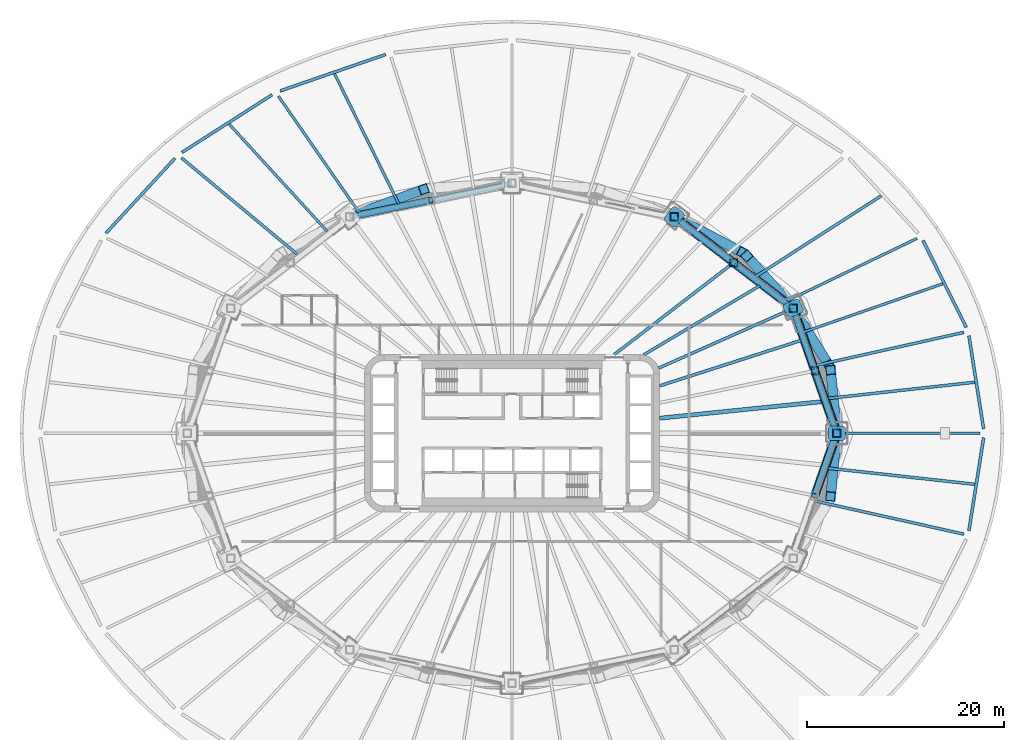
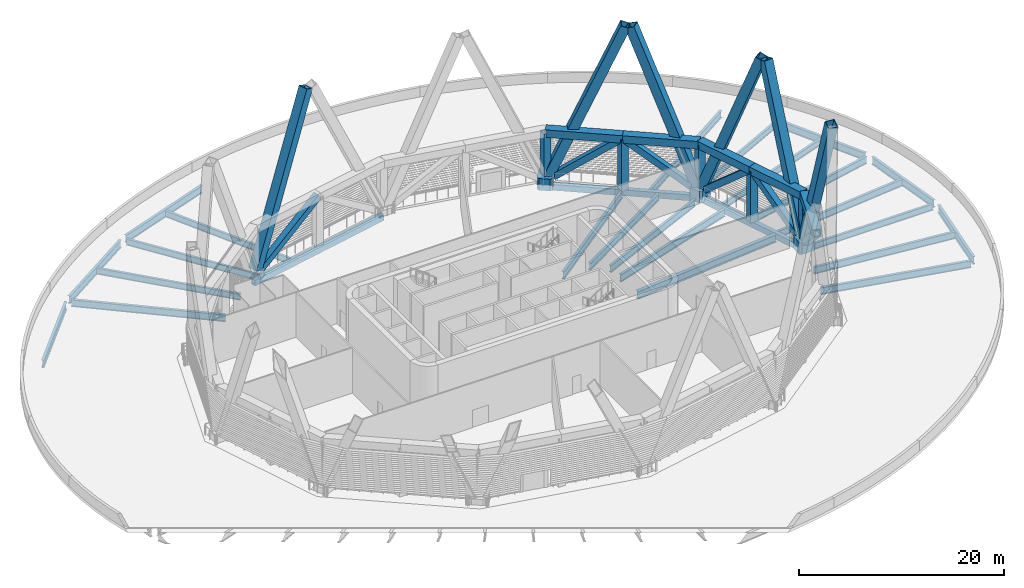
# One storey, part 4 of 27: 26 beams, 25 members.
"""IFC4 building model written with IfcOpenShell, lengths in metres."""

from ifc_helpers import new_model, si_unit, direction, frame, origin, origin_2d, place, context, subcontext, project, spatial, polyline, hollow_rectangle, i_section, outline, extrude, material, material_profile, profile_set, type_object, element, save


model = new_model("IFC4")

# Units and contexts
model_context = context("Model", 3, precision=1e-05, world=origin(), true_north=direction((0.0, 1.0)))
body_context = subcontext(model_context, "Body", "Model", "MODEL_VIEW")
ifc_project = project(units=[si_unit("LENGTHUNIT", "METRE"), si_unit("AREAUNIT", "SQUARE_METRE"), si_unit("VOLUMEUNIT", "CUBIC_METRE"), si_unit("PLANEANGLEUNIT", "RADIAN"), si_unit("MASSUNIT", "GRAM", prefix="KILO")], contexts=[model_context])

# Site, building, storey
site_placement = place(None, origin())
site = spatial("IfcSite", under=ifc_project, at=site_placement, CompositionType="ELEMENT")
building_placement = place(site_placement, origin())
building = spatial("IfcBuilding", under=site, at=building_placement, Name="Sahrelin Media Tower", CompositionType="ELEMENT")
storey_placement = place(building_placement, frame((0.0, 0.0, 44.0)))
storey = spatial("IfcBuildingStorey", under=building, at=storey_placement, Name="L06", CompositionType="ELEMENT", Elevation=44.0)

# Members
ifc_material_1 = material(Name="Steel S460", Category="steel")
ifc_material_profile_1 = material_profile(ifc_material_1, hollow_rectangle(XDim=1.0, YDim=1.0, WallThickness=0.06005859375, at=origin_2d()), Name="Diagrid diagonal DG1")
ifc_profile_set_1 = profile_set([ifc_material_profile_1], Name="Steel S460")
member_type_1 = type_object("IfcMemberType", Name="Diagrid diagonal DG1", PredefinedType="BRACE", material=ifc_profile_set_1)
member_1_placement = place(storey_placement, frame((32.97607421875, 0.245849609375, 0.699951171875), z_axis=(-0.032297802229, 0.331127690494, 0.943033034713), x_axis=(-0.995276765288, -0.097078115336, 0.0)))
element("IfcMember", 1, at=member_1_placement, inside=storey, type_object=member_type_1, Name="Diagrid diagonal D00-00", PredefinedType="BRACE", context=body_context, shape_type="SweptSolid", body=[
    extrude(hollow_rectangle(XDim=1.0, YDim=1.0, WallThickness=0.06005859375, at=origin_2d()), origin(), (0.0, 0.0, 1.0), 18.663330078125),
])
member_2_placement = place(storey_placement, frame((28.7177734375, 12.477783203125, 0.699951171875), z_axis=(0.185846162703, -0.297145993243, 0.936571119835), x_axis=(0.847831661927, 0.530265474111, 0.0)))
element("IfcMember", 2, at=member_2_placement, inside=storey, type_object=member_type_1, Name="Diagrid diagonal D00-01", PredefinedType="BRACE", context=body_context, shape_type="SweptSolid", body=[
    extrude(hollow_rectangle(XDim=1.0, YDim=1.0, WallThickness=0.06005859375, at=origin_2d()), origin(), (0.0, 0.0, 1.0), 18.7919921875),
])
member_3_placement = place(storey_placement, frame((28.3984375, 12.903564453125, 0.699951171875), z_axis=(-0.240263742988, 0.271151655704, 0.932067654955), x_axis=(-0.748449999211, -0.663191223314, 0.0)))
element("IfcMember", 3, at=member_3_placement, inside=storey, type_object=member_type_1, Name="Diagrid diagonal D00-02", PredefinedType="BRACE", context=body_context, shape_type="SweptSolid", body=[
    extrude(hollow_rectangle(XDim=1.0, YDim=1.0, WallThickness=0.06005859375, at=origin_2d()), origin(), (0.0, 0.0, 1.0), 18.8828125),
])
member_4_placement = place(storey_placement, frame((16.7646484375, 21.858154296875, 0.699951171875), z_axis=(0.347601060043, -0.182475884966, 0.91971520291), x_axis=(0.464804602076, 0.885413283099, 0.0)))
element("IfcMember", 4, at=member_4_placement, inside=storey, type_object=member_type_1, Name="Diagrid diagonal D00-03", PredefinedType="BRACE", context=body_context, shape_type="SweptSolid", body=[
    extrude(hollow_rectangle(XDim=1.0, YDim=1.0, WallThickness=0.06005859375, at=origin_2d()), origin(), (0.0, 0.0, 1.0), 19.136474609375),
])
member_5_placement = place(storey_placement, frame((-16.21142578125, 22.10400390625, 0.699951171875), z_axis=(0.377355512755, 0.139825735326, 0.915451572031), x_axis=(-0.347455151629, 0.937696602109, 0.0)))
element("IfcMember", 5, at=member_5_placement, inside=storey, type_object=member_type_1, Name="Diagrid diagonal D00-07", PredefinedType="BRACE", context=body_context, shape_type="SweptSolid", body=[
    extrude(hollow_rectangle(XDim=1.0, YDim=1.0, WallThickness=0.06005859375, at=origin_2d()), origin(), (0.0, 0.0, 1.0), 19.2255859375),
])
member_6_placement = place(storey_placement, frame((32.97607421875, -0.245849609375, 0.699951171875), z_axis=(-0.032297802229, -0.331127690494, 0.943033034713), x_axis=(0.995276765288, -0.097078115336, 0.0)))
element("IfcMember", 6, at=member_6_placement, inside=storey, type_object=member_type_1, Name="Diagrid diagonal D00-23", PredefinedType="BRACE", context=body_context, shape_type="SweptSolid", body=[
    extrude(hollow_rectangle(XDim=1.0, YDim=1.0, WallThickness=0.06005859375, at=origin_2d()), origin(), (0.0, 0.0, 1.0), 18.663330078125),
])
ifc_material_profile_2 = material_profile(ifc_material_1, outline(polyline([(0.699951171875, -0.75), (0.89990234375, -0.550048828125), (0.89990234375, 0.550048828125), (0.699951171875, 0.75), (-0.699951171875, 0.75), (-0.89990234375, 0.550048828125), (-0.89990234375, -0.550048828125), (-0.699951171875, -0.75), (0.699951171875, -0.75)])), Name="Diagrid node block 1800")
ifc_profile_set_2 = profile_set([ifc_material_profile_2], Name="Steel S460")
member_type_2 = type_object("IfcMemberType", Name="Diagrid node block 1800", PredefinedType="USERDEFINED", material=ifc_profile_set_2)
for number, where, z_axis, x_axis, name in (
    (7, (33.0, 0.0, -0.699951171875), (0.0, 0.0, 1.0), (1.0, 0.0, 0.0), "Diagrid node N00-00"),
    (8, (28.578857421875, 12.699951171875, -0.699951171875), (0.0, 0.0, 1.0), (0.913831317054, 0.40609398416, 0.0), "Diagrid node N00-01"),
    (9, (16.5, 21.9970703125, -0.699951171875), (0.0, 0.0, 1.0), (0.600051693363, 0.799961227368, 0.0), "Diagrid node N00-02"),
):
    element("IfcMember", number, at=place(storey_placement, frame(where, z_axis=z_axis, x_axis=x_axis)), inside=storey, type_object=member_type_2, Name=name, ObjectType="NODE", PredefinedType="USERDEFINED", context=body_context, shape_type="SweptSolid", body=[
        extrude(outline(polyline([(0.699951171875, -0.75), (0.89990234375, -0.550048828125), (0.89990234375, 0.550048828125), (0.699951171875, 0.75), (-0.699951171875, 0.75), (-0.89990234375, 0.550048828125), (-0.89990234375, -0.550048828125), (-0.699951171875, -0.75), (0.699951171875, -0.75)])), origin(), (0.0, 0.0, 1.0), 1.39990234375),
    ])

# Beams
ifc_material_profile_3 = material_profile(ifc_material_1, hollow_rectangle(XDim=0.5, YDim=0.699951171875, WallThickness=0.034912109375, at=origin_2d()), Name="Diagrid ring beam RB2")
ifc_profile_set_3 = profile_set([ifc_material_profile_3], Name="Steel S460")
beam_type_1 = type_object("IfcBeamType", Name="Diagrid ring beam RB2", PredefinedType="BEAM", material=ifc_profile_set_3)
beam_1_placement = place(storey_placement, frame((33.0, 0.0, -0.699951171875), z_axis=(-0.328770590399, 0.944409815117, 0.0), x_axis=(-0.944409815117, -0.328770590399, 0.0)))
element("IfcBeam", 10, at=beam_1_placement, inside=storey, type_object=beam_type_1, Name="Diagrid ring beam RB00-00", PredefinedType="BEAM", context=body_context, shape_type="SweptSolid", body=[
    extrude(hollow_rectangle(XDim=0.5, YDim=0.699951171875, WallThickness=0.034912109375, at=origin_2d()), origin(), (0.0, 0.0, 1.0), 13.447509765625),
])
beam_2_placement = place(storey_placement, frame((28.578857421875, 12.699951171875, -0.699951171875), z_axis=(-0.792443539308, 0.609945273782, 0.0), x_axis=(-0.609945273782, -0.792443539308, 0.0)))
element("IfcBeam", 11, at=beam_2_placement, inside=storey, type_object=beam_type_1, Name="Diagrid ring beam RB00-01", PredefinedType="BEAM", context=body_context, shape_type="SweptSolid", body=[
    extrude(hollow_rectangle(XDim=0.5, YDim=0.699951171875, WallThickness=0.034912109375, at=origin_2d()), origin(), (0.0, 0.0, 1.0), 15.242431640625),
])
beam_3_placement = place(storey_placement, frame((0.0, 25.39990234375, -0.699951171875), z_axis=(-0.979389305257, -0.201981654484, 0.0), x_axis=(0.201981654484, -0.979389305257, 0.0)))
element("IfcBeam", 12, at=beam_3_placement, inside=storey, type_object=beam_type_1, Name="Diagrid ring beam RB00-03", PredefinedType="BEAM", context=body_context, shape_type="SweptSolid", body=[
    extrude(hollow_rectangle(XDim=0.5, YDim=0.699951171875, WallThickness=0.034912109375, at=origin_2d()), origin(), (0.0, 0.0, 1.0), 16.84716796875),
])
ifc_material_2 = material(Name="Steel S355", Category="steel")
ifc_material_profile_4 = material_profile(ifc_material_2, i_section(OverallWidth=0.30322265625, OverallDepth=0.903076171875, WebThickness=0.01513671875, FlangeThickness=0.020263671875, FilletRadius=0.01904296875, at=origin_2d()), Name="UB 914x305x201")
ifc_profile_set_4 = profile_set([ifc_material_profile_4], Name="Steel S355")
beam_type_2 = type_object("IfcBeamType", Name="Podium edge girder PE11", PredefinedType="BEAM", material=ifc_profile_set_4)
beam_4_placement = place(storey_placement, frame((47.928955078125, 0.449951171875, -0.801513671875), z_axis=(-0.156048991104, 0.987749316565, 0.0), x_axis=(-0.987749316565, -0.156048991104, 0.0)))
element("IfcBeam", 13, at=beam_4_placement, inside=storey, type_object=beam_type_2, Name="Podium edge girder L06-01", PredefinedType="BEAM", context=body_context, shape_type="SweptSolid", body=[
    extrude(i_section(OverallWidth=0.30322265625, OverallDepth=0.903076171875, WebThickness=0.01513671875, FlangeThickness=0.020263671875, FilletRadius=0.01904296875, at=origin_2d()), origin(), (0.0, 0.0, 1.0), 9.57470703125),
])
beam_5_placement = place(storey_placement, frame((46.158203125, 10.767822265625, -0.801513671875), z_axis=(-0.445112588569, 0.895474613541, 0.0), x_axis=(-0.895474613541, -0.445112588569, 0.0)))
element("IfcBeam", 14, at=beam_5_placement, inside=storey, type_object=beam_type_2, Name="Podium edge girder L06-02", PredefinedType="BEAM", context=body_context, shape_type="SweptSolid", body=[
    extrude(i_section(OverallWidth=0.30322265625, OverallDepth=0.903076171875, WebThickness=0.01513671875, FlangeThickness=0.020263671875, FilletRadius=0.01904296875, at=origin_2d()), origin(), (0.0, 0.0, 1.0), 9.859619140625),
])
beam_6_placement = place(storey_placement, frame((-12.848876953125, 38.489990234375, -0.801513671875), z_axis=(-0.94527240249, -0.32628221694, 0.0), x_axis=(0.32628221694, -0.94527240249, 0.0)))
element("IfcBeam", 15, at=beam_6_placement, inside=storey, type_object=beam_type_2, Name="Podium edge girder L06-08", PredefinedType="BEAM", context=body_context, shape_type="SweptSolid", body=[
    extrude(i_section(OverallWidth=0.30322265625, OverallDepth=0.903076171875, WebThickness=0.01513671875, FlangeThickness=0.020263671875, FilletRadius=0.01904296875, at=origin_2d()), origin(), (0.0, 0.0, 1.0), 11.329345703125),
])
beam_7_placement = place(storey_placement, frame((-24.37939453125, 34.3984375, -0.801513671875), z_axis=(-0.842485743715, -0.538718638657, 0.0), x_axis=(0.538718638657, -0.842485743715, 0.0)))
element("IfcBeam", 16, at=beam_7_placement, inside=storey, type_object=beam_type_2, Name="Podium edge girder L06-09", PredefinedType="BEAM", context=body_context, shape_type="SweptSolid", body=[
    extrude(i_section(OverallWidth=0.30322265625, OverallDepth=0.903076171875, WebThickness=0.01513671875, FlangeThickness=0.020263671875, FilletRadius=0.01904296875, at=origin_2d()), origin(), (0.0, 0.0, 1.0), 10.87744140625),
])
beam_8_placement = place(storey_placement, frame((-34.246337890625, 27.952880859375, -0.801513671875), z_axis=(-0.677370529771, -0.735642008995, 0.0), x_axis=(0.735642008995, -0.677370529771, 0.0)))
element("IfcBeam", 17, at=beam_8_placement, inside=storey, type_object=beam_type_2, Name="Podium edge girder L06-10", PredefinedType="BEAM", context=body_context, shape_type="SweptSolid", body=[
    extrude(i_section(OverallWidth=0.30322265625, OverallDepth=0.903076171875, WebThickness=0.01513671875, FlangeThickness=0.020263671875, FilletRadius=0.01904296875, at=origin_2d()), origin(), (0.0, 0.0, 1.0), 10.340087890625),
])
beam_9_placement = place(storey_placement, frame((46.434814453125, -9.907470703125, -0.801513671875), z_axis=(0.156048991104, 0.987749316565, 0.0), x_axis=(-0.987749316565, 0.156048991104, 0.0)))
element("IfcBeam", 18, at=beam_9_placement, inside=storey, type_object=beam_type_2, Name="Podium edge girder L06-24", PredefinedType="BEAM", context=body_context, shape_type="SweptSolid", body=[
    extrude(i_section(OverallWidth=0.30322265625, OverallDepth=0.903076171875, WebThickness=0.01513671875, FlangeThickness=0.020263671875, FilletRadius=0.01904296875, at=origin_2d()), origin(), (0.0, 0.0, 1.0), 9.57470703125),
])
ifc_material_profile_5 = material_profile(ifc_material_2, i_section(OverallWidth=0.291748046875, OverallDepth=0.8349609375, WebThickness=0.013916015625, FlangeThickness=0.018798828125, FilletRadius=0.017822265625, at=origin_2d()), Name="UB 838x292x176")
ifc_profile_set_5 = profile_set([ifc_material_profile_5], Name="Steel S355")
beam_type_3 = type_object("IfcBeamType", Name="Radial primary beam PB10", PredefinedType="BEAM", material=ifc_profile_set_5)
beam_10_placement = place(storey_placement, frame((14.890625, 6.6171875, -0.767578125), z_axis=(0.913833000058, 0.406090196883, 0.0), x_axis=(-0.406090196883, 0.913833000058, 0.0)))
element("IfcBeam", 19, at=beam_10_placement, inside=storey, type_object=beam_type_3, Name="Radial beam L06-03", PredefinedType="BEAM", context=body_context, shape_type="SweptSolid", body=[
    extrude(i_section(OverallWidth=0.291748046875, OverallDepth=0.8349609375, WebThickness=0.013916015625, FlangeThickness=0.018798828125, FilletRadius=0.017822265625, at=origin_2d()), origin(), (0.0, 0.0, 1.0), 14.078857421875),
])
beam_11_placement = place(storey_placement, frame((30.865478515625, 6.89208984375, -0.767578125), z_axis=(0.975968037832, 0.217913719463, 0.0), x_axis=(-0.217913719463, 0.975968037832, 0.0)))
element("IfcBeam", 20, at=beam_11_placement, inside=storey, type_object=beam_type_3, Name="Radial beam L06-02", PredefinedType="BEAM", context=body_context, shape_type="SweptSolid", body=[
    extrude(i_section(OverallWidth=0.291748046875, OverallDepth=0.8349609375, WebThickness=0.013916015625, FlangeThickness=0.018798828125, FilletRadius=0.017822265625, at=origin_2d()), origin(), (0.0, 0.0, 1.0), 15.4306640625),
])
beam_12_placement = place(storey_placement, frame((-21.84130859375, 18.201171875, -0.767578125), z_axis=(-0.768227819125, 0.64017655215, 0.0), x_axis=(-0.64017655215, -0.768227819125, 0.0)))
element("IfcBeam", 21, at=beam_12_placement, inside=storey, type_object=beam_type_3, Name="Radial beam L06-10", PredefinedType="BEAM", context=body_context, shape_type="SweptSolid", body=[
    extrude(i_section(OverallWidth=0.291748046875, OverallDepth=0.8349609375, WebThickness=0.013916015625, FlangeThickness=0.018798828125, FilletRadius=0.017822265625, at=origin_2d()), origin(), (0.0, 0.0, 1.0), 15.30029296875),
])
beam_13_placement = place(storey_placement, frame((30.865478515625, -6.89208984375, -0.767578125), z_axis=(0.975968037832, -0.217913719463, 0.0), x_axis=(0.217913719463, 0.975968037832, 0.0)))
element("IfcBeam", 22, at=beam_13_placement, inside=storey, type_object=beam_type_3, Name="Radial beam L06-24", PredefinedType="BEAM", context=body_context, shape_type="SweptSolid", body=[
    extrude(i_section(OverallWidth=0.291748046875, OverallDepth=0.8349609375, WebThickness=0.013916015625, FlangeThickness=0.018798828125, FilletRadius=0.017822265625, at=origin_2d()), origin(), (0.0, 0.0, 1.0), 15.4306640625),
])
ifc_material_profile_6 = material_profile(ifc_material_2, i_section(OverallWidth=0.30322265625, OverallDepth=0.903076171875, WebThickness=0.01513671875, FlangeThickness=0.020263671875, FilletRadius=0.01904296875, at=origin_2d()), Name="UB 914x305x201")
ifc_profile_set_6 = profile_set([ifc_material_profile_6], Name="Steel S355")
beam_type_4 = type_object("IfcBeamType", Name="Radial primary beam PB11", PredefinedType="BEAM", material=ifc_profile_set_6)
beam_14_placement = place(storey_placement, frame((10.393798828125, 8.0, -0.801513671875), z_axis=(0.792438439057, 0.609951899993, 0.0), x_axis=(-0.609951899993, 0.792438439057, 0.0)))
element("IfcBeam", 23, at=beam_14_placement, inside=storey, type_object=beam_type_4, Name="Radial beam L06-04", PredefinedType="BEAM", context=body_context, shape_type="SweptSolid", body=[
    extrude(i_section(OverallWidth=0.30322265625, OverallDepth=0.903076171875, WebThickness=0.01513671875, FlangeThickness=0.020263671875, FilletRadius=0.01904296875, at=origin_2d()), origin(), (0.0, 0.0, 1.0), 15.068359375),
])
ifc_material_profile_7 = material_profile(ifc_material_2, i_section(OverallWidth=0.26513671875, OverallDepth=0.75390625, WebThickness=0.0126953125, FlangeThickness=0.017578125, FilletRadius=0.0166015625, at=origin_2d()), Name="UB 762x267x147")
ifc_profile_set_7 = profile_set([ifc_material_profile_7], Name="Steel S355")
beam_type_5 = type_object("IfcBeamType", Name="Radial primary beam PB9", PredefinedType="BEAM", material=ifc_profile_set_7)
beam_15_placement = place(storey_placement, frame((33.89990234375, 0.0, -0.72705078125), z_axis=(1.0, 0.0, 0.0), x_axis=(0.0, 1.0, 0.0)))
element("IfcBeam", 24, at=beam_15_placement, inside=storey, type_object=beam_type_5, Name="Radial beam L06-01", PredefinedType="BEAM", context=body_context, shape_type="SweptSolid", body=[
    extrude(i_section(OverallWidth=0.26513671875, OverallDepth=0.75390625, WebThickness=0.0126953125, FlangeThickness=0.017578125, FilletRadius=0.0166015625, at=origin_2d()), origin(), (0.0, 0.0, 1.0), 13.650146484375),
])
beam_16_placement = place(storey_placement, frame((27.99169921875, 13.467529296875, -0.72705078125), z_axis=(0.901128087536, 0.433552960841, 0.0), x_axis=(-0.433552960841, 0.901128087536, 0.0)))
element("IfcBeam", 25, at=beam_16_placement, inside=storey, type_object=beam_type_5, Name="Radial beam L06-03", PredefinedType="BEAM", context=body_context, shape_type="SweptSolid", body=[
    extrude(i_section(OverallWidth=0.26513671875, OverallDepth=0.75390625, WebThickness=0.0126953125, FlangeThickness=0.017578125, FilletRadius=0.0166015625, at=origin_2d()), origin(), (0.0, 0.0, 1.0), 14.617431640625),
])
beam_17_placement = place(storey_placement, frame((-15.55224609375, 22.44775390625, -0.72705078125), z_axis=(-0.569495914452, 0.821994162645, 0.0), x_axis=(-0.821994162645, -0.569495914452, 0.0)))
element("IfcBeam", 26, at=beam_17_placement, inside=storey, type_object=beam_type_5, Name="Radial beam L06-09", PredefinedType="BEAM", context=body_context, shape_type="SweptSolid", body=[
    extrude(i_section(OverallWidth=0.26513671875, OverallDepth=0.75390625, WebThickness=0.0126953125, FlangeThickness=0.017578125, FilletRadius=0.0166015625, at=origin_2d()), origin(), (0.0, 0.0, 1.0), 14.383544921875),
])
ifc_material_profile_8 = material_profile(ifc_material_2, i_section(OverallWidth=0.291748046875, OverallDepth=0.8349609375, WebThickness=0.013916015625, FlangeThickness=0.018798828125, FilletRadius=0.017822265625, at=origin_2d()), Name="UB 838x292x176")
ifc_profile_set_8 = profile_set([ifc_material_profile_8], Name="Steel S355")
beam_type_6 = type_object("IfcBeamType", Name="Radial secondary beam SB10", PredefinedType="BEAM", material=ifc_profile_set_8)
beam_18_placement = place(storey_placement, frame((13.356201171875, 7.953125, -0.767578125), z_axis=(0.859201566627, 0.511637242493, 0.0), x_axis=(-0.511637242493, 0.859201566627, 0.0)))
element("IfcBeam", 27, at=beam_18_placement, inside=storey, type_object=beam_type_6, Name="Secondary beam L06-03", PredefinedType="BEAM", context=body_context, shape_type="SweptSolid", body=[
    extrude(i_section(OverallWidth=0.291748046875, OverallDepth=0.8349609375, WebThickness=0.013916015625, FlangeThickness=0.018798828125, FilletRadius=0.017822265625, at=origin_2d()), origin(), (0.0, 0.0, 1.0), 13.76708984375),
])
beam_19_placement = place(storey_placement, frame((32.034912109375, 3.533203125, -0.767578125), z_axis=(0.993974200431, 0.109614273146, 0.0), x_axis=(-0.109614273146, 0.993974200431, 0.0)))
element("IfcBeam", 28, at=beam_19_placement, inside=storey, type_object=beam_type_6, Name="Secondary beam L06-01", PredefinedType="BEAM", context=body_context, shape_type="SweptSolid", body=[
    extrude(i_section(OverallWidth=0.291748046875, OverallDepth=0.8349609375, WebThickness=0.013916015625, FlangeThickness=0.018798828125, FilletRadius=0.017822265625, at=origin_2d()), origin(), (0.0, 0.0, 1.0), 15.0830078125),
])
beam_20_placement = place(storey_placement, frame((24.780517578125, 15.93896484375, -0.767578125), z_axis=(0.841044109841, 0.540966547304, 0.0), x_axis=(-0.540966547304, 0.841044109841, 0.0)))
element("IfcBeam", 29, at=beam_20_placement, inside=storey, type_object=beam_type_6, Name="Secondary beam L06-03", PredefinedType="BEAM", context=body_context, shape_type="SweptSolid", body=[
    extrude(i_section(OverallWidth=0.291748046875, OverallDepth=0.8349609375, WebThickness=0.013916015625, FlangeThickness=0.018798828125, FilletRadius=0.017822265625, at=origin_2d()), origin(), (0.0, 0.0, 1.0), 15.175048828125),
])
beam_21_placement = place(storey_placement, frame((32.034912109375, -3.533203125, -0.767578125), z_axis=(0.993974200431, -0.109614273146, 0.0), x_axis=(0.109614273146, 0.993974200431, 0.0)))
element("IfcBeam", 30, at=beam_21_placement, inside=storey, type_object=beam_type_6, Name="Secondary beam L06-24", PredefinedType="BEAM", context=body_context, shape_type="SweptSolid", body=[
    extrude(i_section(OverallWidth=0.291748046875, OverallDepth=0.8349609375, WebThickness=0.013916015625, FlangeThickness=0.018798828125, FilletRadius=0.017822265625, at=origin_2d()), origin(), (0.0, 0.0, 1.0), 15.0830078125),
])
ifc_material_profile_9 = material_profile(ifc_material_2, i_section(OverallWidth=0.30322265625, OverallDepth=0.903076171875, WebThickness=0.01513671875, FlangeThickness=0.020263671875, FilletRadius=0.01904296875, at=origin_2d()), Name="UB 914x305x201")
ifc_profile_set_9 = profile_set([ifc_material_profile_9], Name="Steel S355")
beam_type_7 = type_object("IfcBeamType", Name="Radial secondary beam SB11", PredefinedType="BEAM", material=ifc_profile_set_9)
beam_22_placement = place(storey_placement, frame((15.0, 4.81787109375, -0.801513671875), z_axis=(0.952096020669, 0.305799227315, 0.0), x_axis=(-0.305799227315, 0.952096020669, 0.0)))
element("IfcBeam", 31, at=beam_22_placement, inside=storey, type_object=beam_type_7, Name="Secondary beam L06-02", PredefinedType="BEAM", context=body_context, shape_type="SweptSolid", body=[
    extrude(i_section(OverallWidth=0.30322265625, OverallDepth=0.903076171875, WebThickness=0.01513671875, FlangeThickness=0.020263671875, FilletRadius=0.01904296875, at=origin_2d()), origin(), (0.0, 0.0, 1.0), 15.169921875),
])
ifc_material_profile_10 = material_profile(ifc_material_2, i_section(OverallWidth=0.41845703125, OverallDepth=0.911865234375, WebThickness=0.019287109375, FlangeThickness=0.031982421875, FilletRadius=0.024169921875, at=origin_2d()), Name="UB 914x419x343")
ifc_profile_set_10 = profile_set([ifc_material_profile_10], Name="Steel S355")
beam_type_8 = type_object("IfcBeamType", Name="Radial secondary beam SB12", PredefinedType="BEAM", material=ifc_profile_set_10)
beam_23_placement = place(storey_placement, frame((15.0, 1.53076171875, -0.805908203125), z_axis=(0.994834534251, 0.101509849087, 0.0), x_axis=(-0.101509849087, 0.994834534251, 0.0)))
element("IfcBeam", 32, at=beam_23_placement, inside=storey, type_object=beam_type_8, Name="Secondary beam L06-01", PredefinedType="BEAM", context=body_context, shape_type="SweptSolid", body=[
    extrude(i_section(OverallWidth=0.41845703125, OverallDepth=0.911865234375, WebThickness=0.019287109375, FlangeThickness=0.031982421875, FilletRadius=0.024169921875, at=origin_2d()), origin(), (0.0, 0.0, 1.0), 16.698486328125),
])
ifc_material_profile_11 = material_profile(ifc_material_2, i_section(OverallWidth=0.26513671875, OverallDepth=0.75390625, WebThickness=0.0126953125, FlangeThickness=0.017578125, FilletRadius=0.0166015625, at=origin_2d()), Name="UB 762x267x147")
ifc_profile_set_11 = profile_set([ifc_material_profile_11], Name="Steel S355")
beam_type_9 = type_object("IfcBeamType", Name="Radial secondary beam SB9", PredefinedType="BEAM", material=ifc_profile_set_11)
beam_24_placement = place(storey_placement, frame((29.6787109375, 10.300537109375, -0.72705078125), z_axis=(0.944715588779, 0.32789092137, 0.0), x_axis=(-0.32789092137, 0.944715588779, 0.0)))
element("IfcBeam", 33, at=beam_24_placement, inside=storey, type_object=beam_type_9, Name="Secondary beam L06-02", PredefinedType="BEAM", context=body_context, shape_type="SweptSolid", body=[
    extrude(i_section(OverallWidth=0.26513671875, OverallDepth=0.75390625, WebThickness=0.0126953125, FlangeThickness=0.017578125, FilletRadius=0.0166015625, at=origin_2d()), origin(), (0.0, 0.0, 1.0), 14.93408203125),
])
beam_25_placement = place(storey_placement, frame((-11.492919921875, 23.284912109375, -0.72705078125), z_axis=(-0.442589481615, 0.896724344915, 0.0), x_axis=(-0.896724344915, -0.442589481615, 0.0)))
element("IfcBeam", 34, at=beam_25_placement, inside=storey, type_object=beam_type_9, Name="Secondary beam L06-08", PredefinedType="BEAM", context=body_context, shape_type="SweptSolid", body=[
    extrude(i_section(OverallWidth=0.26513671875, OverallDepth=0.75390625, WebThickness=0.0126953125, FlangeThickness=0.017578125, FilletRadius=0.0166015625, at=origin_2d()), origin(), (0.0, 0.0, 1.0), 14.78125),
])
beam_26_placement = place(storey_placement, frame((-18.796142578125, 20.545166015625, -0.72705078125), z_axis=(-0.675008284326, 0.737810149084, 0.0), x_axis=(-0.737810149084, -0.675008284326, 0.0)))
element("IfcBeam", 35, at=beam_26_placement, inside=storey, type_object=beam_type_9, Name="Secondary beam L06-09", PredefinedType="BEAM", context=body_context, shape_type="SweptSolid", body=[
    extrude(i_section(OverallWidth=0.26513671875, OverallDepth=0.75390625, WebThickness=0.0126953125, FlangeThickness=0.017578125, FilletRadius=0.0166015625, at=origin_2d()), origin(), (0.0, 0.0, 1.0), 14.7451171875),
])

# Members
ifc_material_profile_12 = material_profile(ifc_material_1, hollow_rectangle(XDim=0.89990234375, YDim=0.89990234375, WallThickness=0.050048828125, at=origin_2d()), Name="Transfer truss chord TC")
ifc_profile_set_12 = profile_set([ifc_material_profile_12], Name="Steel S460")
member_type_3 = type_object("IfcMemberType", Name="Transfer truss chord TC", PredefinedType="CHORD", material=ifc_profile_set_12)
member_7_placement = place(storey_placement, frame((33.0, 0.0, 5.800048828125), z_axis=(-0.328781145791, 0.944406140478, 0.0), x_axis=(-0.944406140478, -0.328781145791, 0.0)))
element("IfcMember", 36, at=member_7_placement, inside=storey, type_object=member_type_3, Name="Transfer truss member BT00-00-T1", PredefinedType="CHORD", context=body_context, shape_type="SweptSolid", body=[
    extrude(hollow_rectangle(XDim=0.89990234375, YDim=0.89990234375, WallThickness=0.050048828125, at=origin_2d()), origin(), (0.0, 0.0, 1.0), 6.723876953125),
])
member_8_placement = place(storey_placement, frame((30.789306640625, 6.35009765625, 5.800048828125), z_axis=(-0.328760034477, 0.944413489808, 0.0), x_axis=(-0.944413489808, -0.328760034477, 0.0)))
element("IfcMember", 37, at=member_8_placement, inside=storey, type_object=member_type_3, Name="Transfer truss member BT00-00-T2", PredefinedType="CHORD", context=body_context, shape_type="SweptSolid", body=[
    extrude(hollow_rectangle(XDim=0.89990234375, YDim=0.89990234375, WallThickness=0.050048828125, at=origin_2d()), origin(), (0.0, 0.0, 1.0), 6.7236328125),
])
for number, where, z_axis, x_axis, name in (
    (38, (28.578857421875, 12.699951171875, 5.800048828125), (-0.792457239739, 0.60992747371, 0.0), (-0.60992747371, -0.792457239739, 0.0), "Transfer truss member BT00-01-T1"),
    (39, (22.539306640625, 17.348388671875, 5.800048828125), (-0.792429838397, 0.609963073651, 0.0), (-0.609963073651, -0.792429838397, 0.0), "Transfer truss member BT00-01-T2"),
):
    element("IfcMember", number, at=place(storey_placement, frame(where, z_axis=z_axis, x_axis=x_axis)), inside=storey, type_object=member_type_3, Name=name, PredefinedType="CHORD", context=body_context, shape_type="SweptSolid", body=[
        extrude(hollow_rectangle(XDim=0.89990234375, YDim=0.89990234375, WallThickness=0.050048828125, at=origin_2d()), origin(), (0.0, 0.0, 1.0), 7.621337890625),
    ])
member_9_placement = place(storey_placement, frame((30.789306640625, -6.35009765625, 5.800048828125), z_axis=(0.328781145791, 0.944406140478, 0.0), x_axis=(-0.944406140478, 0.328781145791, 0.0)))
element("IfcMember", 40, at=member_9_placement, inside=storey, type_object=member_type_3, Name="Transfer truss member BT00-11-T2", PredefinedType="CHORD", context=body_context, shape_type="SweptSolid", body=[
    extrude(hollow_rectangle(XDim=0.89990234375, YDim=0.89990234375, WallThickness=0.050048828125, at=origin_2d()), origin(), (0.0, 0.0, 1.0), 6.723876953125),
])
ifc_material_profile_13 = material_profile(ifc_material_1, hollow_rectangle(XDim=0.699951171875, YDim=0.699951171875, WallThickness=0.0400390625, at=origin_2d()), Name="Transfer truss diagonal TD")
ifc_profile_set_13 = profile_set([ifc_material_profile_13], Name="Steel S460")
member_type_4 = type_object("IfcMemberType", Name="Transfer truss diagonal TD", PredefinedType="BRACE", material=ifc_profile_set_13)
member_10_placement = place(storey_placement, frame((32.739013671875, 0.75, 0.68505859375), z_axis=(-0.248970870971, 0.715113177853, 0.653166631319), x_axis=(-0.944400109582, -0.328798468703, 0.0)))
element("IfcMember", 41, at=member_10_placement, inside=storey, type_object=member_type_4, Name="Transfer truss member BT00-00-X1", PredefinedType="BRACE", context=body_context, shape_type="SweptSolid", body=[
    extrude(hollow_rectangle(XDim=0.699951171875, YDim=0.699951171875, WallThickness=0.0400390625, at=origin_2d()), origin(), (0.0, 0.0, 1.0), 7.8310546875),
])
member_11_placement = place(storey_placement, frame((28.826171875, 11.9892578125, 0.649169921875), z_axis=(0.248946069278, -0.715104627307, 0.653185445793), x_axis=(0.944409059294, 0.328772761528, 0.0)))
element("IfcMember", 42, at=member_11_placement, inside=storey, type_object=member_type_4, Name="Transfer truss member BT00-00-X2", PredefinedType="BRACE", context=body_context, shape_type="SweptSolid", body=[
    extrude(hollow_rectangle(XDim=0.699951171875, YDim=0.699951171875, WallThickness=0.0400390625, at=origin_2d()), origin(), (0.0, 0.0, 1.0), 7.8857421875),
])
member_12_placement = place(storey_placement, frame((27.90283203125, 13.22021484375, 0.649169921875), z_axis=(-0.630606953825, 0.485362692076, 0.605605421812), x_axis=(-0.609932127259, -0.792453658038, 0.0)))
element("IfcMember", 43, at=member_12_placement, inside=storey, type_object=member_type_4, Name="Transfer truss member BT00-01-X1", PredefinedType="BRACE", context=body_context, shape_type="SweptSolid", body=[
    extrude(hollow_rectangle(XDim=0.699951171875, YDim=0.699951171875, WallThickness=0.0400390625, at=origin_2d()), origin(), (0.0, 0.0, 1.0), 8.50537109375),
])
member_13_placement = place(storey_placement, frame((17.094482421875, 21.53955078125, 0.57080078125), z_axis=(0.630579274775, -0.485389400505, 0.605612836804), x_axis=(0.609970016037, 0.792424494533, 0.0)))
element("IfcMember", 44, at=member_13_placement, inside=storey, type_object=member_type_4, Name="Transfer truss member BT00-01-X2", PredefinedType="BRACE", context=body_context, shape_type="SweptSolid", body=[
    extrude(hollow_rectangle(XDim=0.699951171875, YDim=0.699951171875, WallThickness=0.0400390625, at=origin_2d()), origin(), (0.0, 0.0, 1.0), 8.634521484375),
])
member_14_placement = place(storey_placement, frame((-15.68798828125, 22.16455078125, 0.57080078125), z_axis=(0.806660315519, 0.166357472671, 0.567119323118), x_axis=(-0.201979448038, 0.979389760295, 0.0)))
element("IfcMember", 45, at=member_14_placement, inside=storey, type_object=member_type_4, Name="Transfer truss member BT00-03-X2", PredefinedType="BRACE", context=body_context, shape_type="SweptSolid", body=[
    extrude(hollow_rectangle(XDim=0.699951171875, YDim=0.699951171875, WallThickness=0.0400390625, at=origin_2d()), origin(), (0.0, 0.0, 1.0), 9.220703125),
])
member_15_placement = place(storey_placement, frame((32.739013671875, -0.75, 0.68505859375), z_axis=(-0.248970870971, -0.715113177853, 0.653166631319), x_axis=(0.944400109582, -0.328798468703, 0.0)))
element("IfcMember", 46, at=member_15_placement, inside=storey, type_object=member_type_4, Name="Transfer truss member BT00-11-X2", PredefinedType="BRACE", context=body_context, shape_type="SweptSolid", body=[
    extrude(hollow_rectangle(XDim=0.699951171875, YDim=0.699951171875, WallThickness=0.0400390625, at=origin_2d()), origin(), (0.0, 0.0, 1.0), 7.8310546875),
])
ifc_material_profile_14 = material_profile(ifc_material_1, hollow_rectangle(XDim=0.800048828125, YDim=0.800048828125, WallThickness=0.044921875, at=origin_2d()), Name="Transfer truss post TP")
ifc_profile_set_14 = profile_set([ifc_material_profile_14], Name="Steel S460")
member_type_5 = type_object("IfcMemberType", Name="Transfer truss post TP", PredefinedType="POST", material=ifc_profile_set_14)
member_16_placement = place(storey_placement, frame((33.0, 0.0, 0.699951171875), z_axis=(0.0, 0.0, 1.0), x_axis=(1.0, 0.0, 0.0)))
element("IfcMember", 47, at=member_16_placement, inside=storey, type_object=member_type_5, Name="Transfer truss member BT00-00-P0", PredefinedType="POST", context=body_context, shape_type="SweptSolid", body=[
    extrude(hollow_rectangle(XDim=0.800048828125, YDim=0.800048828125, WallThickness=0.044921875, at=origin_2d()), origin(), (0.0, 0.0, 1.0), 5.10009765625),
])
member_17_placement = place(storey_placement, frame((30.789306640625, 6.35009765625, -0.3701171875), z_axis=(0.0, 0.0, 1.0), x_axis=(1.0, 0.0, 0.0)))
element("IfcMember", 48, at=member_17_placement, inside=storey, type_object=member_type_5, Name="Transfer truss member BT00-00-P1", PredefinedType="POST", context=body_context, shape_type="SweptSolid", body=[
    extrude(hollow_rectangle(XDim=0.800048828125, YDim=0.800048828125, WallThickness=0.044921875, at=origin_2d()), origin(), (0.0, 0.0, 1.0), 6.170166015625),
])
member_18_placement = place(storey_placement, frame((28.578857421875, 12.699951171875, 0.699951171875), z_axis=(0.0, 0.0, 1.0), x_axis=(1.0, 0.0, 0.0)))
element("IfcMember", 49, at=member_18_placement, inside=storey, type_object=member_type_5, Name="Transfer truss member BT00-01-P0", PredefinedType="POST", context=body_context, shape_type="SweptSolid", body=[
    extrude(hollow_rectangle(XDim=0.800048828125, YDim=0.800048828125, WallThickness=0.044921875, at=origin_2d()), origin(), (0.0, 0.0, 1.0), 5.10009765625),
])
member_19_placement = place(storey_placement, frame((22.539306640625, 17.348388671875, -0.3701171875), z_axis=(0.0, 0.0, 1.0), x_axis=(1.0, 0.0, 0.0)))
element("IfcMember", 50, at=member_19_placement, inside=storey, type_object=member_type_5, Name="Transfer truss member BT00-01-P1", PredefinedType="POST", context=body_context, shape_type="SweptSolid", body=[
    extrude(hollow_rectangle(XDim=0.800048828125, YDim=0.800048828125, WallThickness=0.044921875, at=origin_2d()), origin(), (0.0, 0.0, 1.0), 6.170166015625),
])
member_20_placement = place(storey_placement, frame((16.5, 21.9970703125, 0.699951171875), z_axis=(0.0, 0.0, 1.0), x_axis=(1.0, 0.0, 0.0)))
element("IfcMember", 51, at=member_20_placement, inside=storey, type_object=member_type_5, Name="Transfer truss member BT00-02-P0", PredefinedType="POST", context=body_context, shape_type="SweptSolid", body=[
    extrude(hollow_rectangle(XDim=0.800048828125, YDim=0.800048828125, WallThickness=0.044921875, at=origin_2d()), origin(), (0.0, 0.0, 1.0), 5.10009765625),
])

save(model, "model.ifc")
